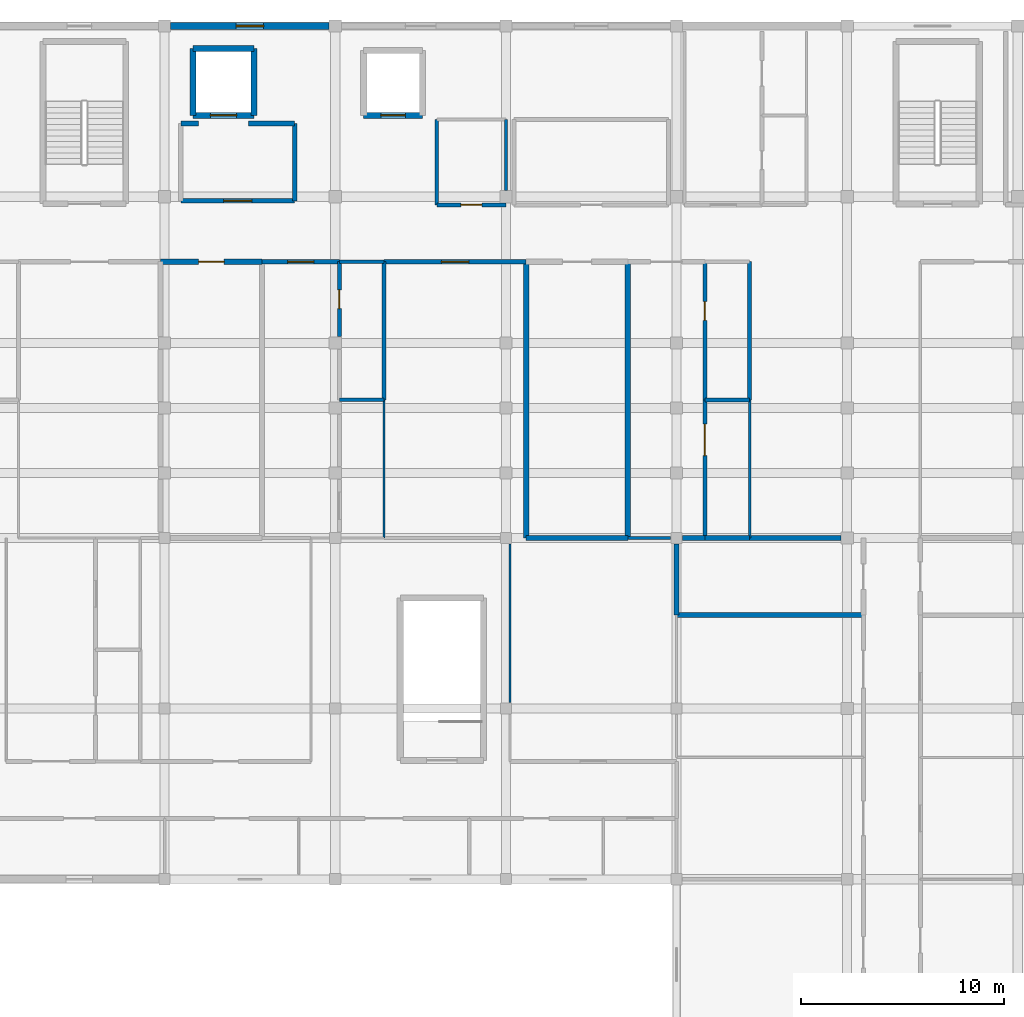
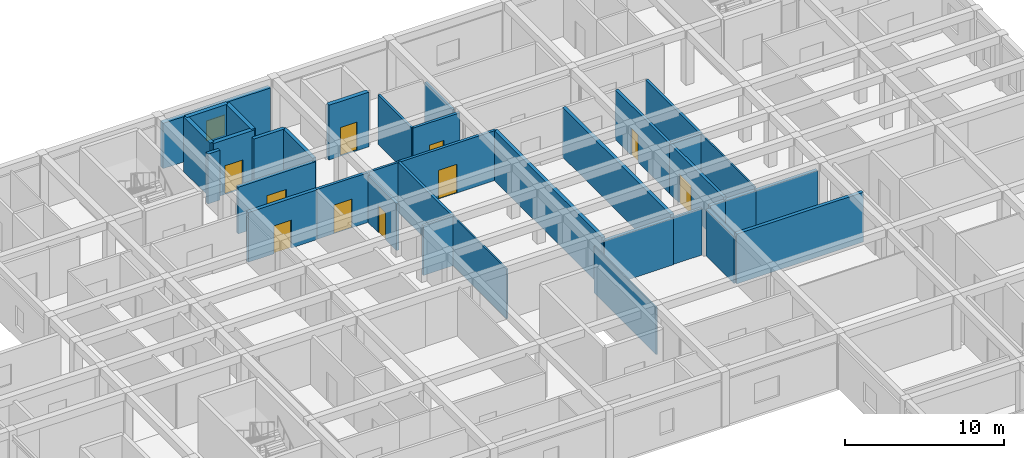
# One storey, part 28 of 42: 36 walls, 10 doors, 1 window, 11 openings.
"""IFC4 building model written with IfcOpenShell, lengths in metres."""

from ifc_helpers import new_model, si_unit, direction, frame, frame_2d, origin, place, context, subcontext, project, spatial, rectangle, extrude, material, layer, layer_set, type_object, element, fill, save


model = new_model("IFC4")

# Units and contexts
model_context = context("Model", 3, precision=1e-05, world=origin(), true_north=direction((0.0, 1.0)))
body_context = subcontext(model_context, "Body", "Model", "MODEL_VIEW")
ifc_project = project(units=[si_unit("LENGTHUNIT", "METRE"), si_unit("AREAUNIT", "SQUARE_METRE"), si_unit("VOLUMEUNIT", "CUBIC_METRE"), si_unit("PLANEANGLEUNIT", "RADIAN"), si_unit("MASSUNIT", "GRAM", prefix="KILO")], contexts=[model_context])

# Site, building, storey
site_placement = place(None, origin())
site = spatial("IfcSite", under=ifc_project, at=site_placement, CompositionType="ELEMENT")
building_placement = place(site_placement, origin())
building = spatial("IfcBuilding", under=site, at=building_placement, Name="Varncliffe General Hospital", CompositionType="ELEMENT")
storey_placement = place(building_placement, frame((0.0, 0.0, 20.39990234375)))
storey = spatial("IfcBuildingStorey", under=building, at=storey_placement, Name="L04", CompositionType="ELEMENT", Elevation=20.39990234375)

# Wall, opening, window
ifc_material_1 = material(Name="Precast concrete C40/50 with insulated cream lime-cement stucco", Category="concrete")
ifc_layer_1 = layer(ifc_material_1, 0.330078125)
ifc_layer_set_1 = layer_set([ifc_layer_1], Name="Precast concrete C40/50 with insulated cream lime-cement stucco")
wall_type_1 = type_object("IfcWallType", Name="Exterior Insulated Stucco Wall EW33 (330mm)", PredefinedType="SOLIDWALL", material=ifc_layer_set_1)
wall_1_placement = place(storey_placement, frame((126.298095703125, 124.800048828125, 0.0), z_axis=(0.0, 0.0, 1.0), x_axis=(1.0, 0.0, 0.0)))
wall_1 = element("IfcWall", 1, at=wall_1_placement, inside=storey, type_object=wall_type_1, Name="L04 Exterior Stucco Wall EW33-368", PredefinedType="SOLIDWALL", context=body_context, shape_type="SweptSolid", body=[
    extrude(rectangle(XDim=7.803955078125, YDim=0.330078125, at=frame_2d((3.90185546875, 0.0))), origin(), (0.0, 0.0, 1.0), 3.47998046875),
])
opening_1_placement = place(wall_1_placement, frame((3.22705078125, 0.0, 0.89990234375)))
opening_1 = element("IfcOpeningElement", 2, at=opening_1_placement, cuts=wall_1, Name="Opening WN24", PredefinedType="OPENING", context=body_context, shape_type="SweptSolid", body=[
    extrude(rectangle(XDim=1.35009765625, YDim=1.550048828125, at=frame_2d((0.675048828125, 0.77490234375))), frame((0.0, 0.175048828125, 0.0), z_axis=(0.0, -1.0, 0.0), x_axis=(1.0, 0.0, 0.0)), (0.0, 0.0, 1.0), 0.35009765625),
])
ifc_material_2 = material(Name="Triple low-E argon insulated vision glazing", Category="glass")
window_type = type_object("IfcWindowType", Name="Triple-Glazed Hospital Window WN24 (1350x1550)", PartitioningType="SINGLE_PANEL", PredefinedType="WINDOW", material=ifc_material_2)
window_placement = place(opening_1_placement, origin())
window = element("IfcWindow", 3, at=window_placement, inside=storey, type_object=window_type, Name="L04 Hospital Window WN24-275", OverallHeight=1.550048828125, OverallWidth=1.35009765625, PartitioningType="SINGLE_PANEL", PredefinedType="WINDOW", context=body_context, shape_type="SweptSolid", body=[
    extrude(rectangle(XDim=1.35009765625, YDim=1.550048828125, at=frame_2d((0.675048828125, 0.77490234375))), frame((0.0, 0.030029296875, 0.0), z_axis=(0.0, -1.0, 0.0), x_axis=(1.0, 0.0, 0.0)), (0.0, 0.0, 1.0), 0.06005859375),
])
fill(opening_1, window)

# Walls
ifc_material_3 = material(Name="Acoustic clinical gypsum stud partition assembly", Category="gypsum")
ifc_layer_2 = layer(ifc_material_3, 0.169921875)
ifc_layer_set_2 = layer_set([ifc_layer_2], Name="Acoustic clinical gypsum stud partition assembly")
wall_type_2 = type_object("IfcWallType", Name="Interior Partitioning IW20 (170mm)", PredefinedType="PARTITIONING", material=ifc_layer_set_2)
wall_2_placement = place(storey_placement, frame((148.800048828125, 99.60009765625, 0.0), z_axis=(0.0, 0.0, 1.0), x_axis=(1.0, 0.0, 0.0)))
element("IfcWall", 4, at=wall_2_placement, inside=storey, type_object=wall_type_2, Name="L04 Interior Partition Wall IW20-1765", PredefinedType="PARTITIONING", context=body_context, shape_type="SweptSolid", body=[
    extrude(rectangle(XDim=2.10986328125, YDim=0.169921875, at=frame_2d((1.054931640625, 0.0))), origin(), (0.0, 0.0, 1.0), 3.585205078125),
])
ifc_layer_3 = layer(ifc_material_3, 0.110107421875)
ifc_layer_set_3 = layer_set([ifc_layer_3], Name="Acoustic clinical gypsum stud partition assembly")
wall_type_3 = type_object("IfcWallType", Name="Interior Partitioning IW65 (110mm)", PredefinedType="PARTITIONING", material=ifc_layer_set_3)
wall_3_placement = place(storey_placement, frame((136.800048828125, 99.60009765625, 0.0), z_axis=(0.0, 0.0, 1.0), x_axis=(0.0, 1.0, 0.0)))
element("IfcWall", 5, at=wall_3_placement, inside=storey, type_object=wall_type_3, Name="L04 Interior Partition Wall IW65-1947", PredefinedType="PARTITIONING", context=body_context, shape_type="SweptSolid", body=[
    extrude(rectangle(XDim=6.7998046875, YDim=0.110107421875, at=frame_2d((3.39990234375, 0.0))), origin(), (0.0, 0.0, 1.0), 3.820068359375),
])
wall_4_placement = place(storey_placement, frame((143.0, 91.489990234375, 0.0), z_axis=(0.0, 0.0, 1.0), x_axis=(0.0, 1.0, 0.0)))
element("IfcWall", 6, at=wall_4_placement, inside=storey, type_object=wall_type_3, Name="L04 Interior Partition Wall IW65-1952", PredefinedType="PARTITIONING", context=body_context, shape_type="SweptSolid", body=[
    extrude(rectangle(XDim=7.820068359375, YDim=0.110107421875, at=frame_2d((3.91015625, 0.0))), origin(), (0.0, 0.0, 1.0), 3.585205078125),
])
wall_5_placement = place(storey_placement, frame((154.800048828125, 99.60009765625, 0.0), z_axis=(0.0, 0.0, 1.0), x_axis=(0.0, 1.0, 0.0)))
element("IfcWall", 7, at=wall_5_placement, inside=storey, type_object=wall_type_3, Name="L04 Interior Partition Wall IW65-1967", PredefinedType="PARTITIONING", context=body_context, shape_type="SweptSolid", body=[
    extrude(rectangle(XDim=6.7998046875, YDim=0.110107421875, at=frame_2d((3.39990234375, 0.0))), origin(), (0.0, 0.0, 1.0), 3.820068359375),
])
ifc_material_4 = material(Name="Fire-rated gypsum and mineral-wool partition assembly", Category="gypsum")
ifc_layer_4 = layer(ifc_material_4, 0.25)
ifc_layer_set_4 = layer_set([ifc_layer_4], Name="Fire-rated gypsum and mineral-wool partition assembly")
wall_type_4 = type_object("IfcWallType", Name="Interior Partitioning PW38 (250mm)", PredefinedType="PARTITIONING", material=ifc_layer_set_4)
wall_6_placement = place(storey_placement, frame((151.199951171875, 95.800048828125, 0.0), z_axis=(0.0, 0.0, 1.0), x_axis=(1.0, 0.0, 0.0)))
element("IfcWall", 8, at=wall_6_placement, inside=storey, type_object=wall_type_4, Name="L04 Interior Partition Wall PW38-1733", PredefinedType="PARTITIONING", context=body_context, shape_type="SweptSolid", body=[
    extrude(rectangle(XDim=9.199951171875, YDim=0.25, at=frame_2d((4.60009765625, 0.0))), origin(), (0.0, 0.0, 1.0), 3.820068359375),
])
wall_7_placement = place(storey_placement, frame((152.60009765625, 99.60009765625, 0.0), z_axis=(0.0, 0.0, 1.0), x_axis=(1.0, 0.0, 0.0)))
element("IfcWall", 9, at=wall_7_placement, inside=storey, type_object=wall_type_4, Name="L04 Interior Partition Wall PW38-1767", PredefinedType="PARTITIONING", context=body_context, shape_type="SweptSolid", body=[
    extrude(rectangle(XDim=2.199951171875, YDim=0.25, at=frame_2d((1.10009765625, 0.0))), origin(), (0.0, 0.0, 1.0), 3.585205078125),
])

# Wall, opening, door
wall_8_placement = place(storey_placement, frame((125.800048828125, 113.199951171875, 0.0), z_axis=(0.0, 0.0, 1.0), x_axis=(1.0, 0.0, 0.0)))
wall_8 = element("IfcWall", 10, at=wall_8_placement, inside=storey, type_object=wall_type_4, Name="L04 Interior Partition Wall PW38-1801", PredefinedType="PARTITIONING", context=body_context, shape_type="SweptSolid", body=[
    extrude(rectangle(XDim=5.0, YDim=0.25, at=frame_2d((2.5, 0.0))), origin(), (0.0, 0.0, 1.0), 3.820068359375),
])
opening_2_placement = place(wall_8_placement, frame((1.875, 0.0, 0.0)))
opening_2 = element("IfcOpeningElement", 11, at=opening_2_placement, cuts=wall_8, Name="Opening DC44", PredefinedType="OPENING", context=body_context, shape_type="SweptSolid", body=[
    extrude(rectangle(XDim=1.25, YDim=2.14990234375, at=frame_2d((0.625, 1.074951171875))), frame((0.0, 0.135009765625, 0.0), z_axis=(0.0, -1.0, 0.0), x_axis=(1.0, 0.0, 0.0)), (0.0, 0.0, 1.0), 0.27001953125),
])
ifc_material_5 = material(Name="Fire-rated hospital steel-frame vision-panel door", Category="steel")
door_type_1 = type_object("IfcDoorType", Name="Interior Hospital Door DC44 (1250x2150)", OperationType="NOTDEFINED", PredefinedType="DOOR", material=ifc_material_5)
door_1_placement = place(opening_2_placement, frame((1.25, 0.0, 0.0), z_axis=(0.0, 0.0, 1.0), x_axis=(-1.0, 0.0, 0.0)))
door_1 = element("IfcDoor", 12, at=door_1_placement, inside=storey, type_object=door_type_1, Name="L04 Ward Soiled Utility Store 99 Door", OperationType="SINGLE_SWING_LEFT", OverallHeight=2.14990234375, OverallWidth=1.25, PredefinedType="DOOR", context=body_context, shape_type="SweptSolid", body=[
    extrude(rectangle(XDim=1.25, YDim=2.14990234375, at=frame_2d((0.625, 1.074951171875))), frame((0.0, 0.02490234375, 0.0), z_axis=(0.0, -1.0, 0.0), x_axis=(1.0, 0.0, 0.0)), (0.0, 0.0, 1.0), 0.050048828125),
])
fill(opening_2, door_1)

# Walls
wall_9_placement = place(storey_placement, frame((130.135986328125, 120.0, 0.0), z_axis=(0.0, 0.0, 1.0), x_axis=(1.0, 0.0, 0.0)))
element("IfcWall", 13, at=wall_9_placement, inside=storey, type_object=wall_type_4, Name="L04 Interior Partition Wall PW38-1831", PredefinedType="PARTITIONING", context=body_context, shape_type="SweptSolid", body=[
    extrude(rectangle(XDim=2.263916015625, YDim=0.25, at=frame_2d((1.1318359375, 0.0))), origin(), (0.0, 0.0, 1.0), 3.820068359375),
])
wall_10_placement = place(storey_placement, frame((126.800048828125, 120.0, 0.0), z_axis=(0.0, 0.0, 1.0), x_axis=(1.0, 0.0, 0.0)))
element("IfcWall", 14, at=wall_10_placement, inside=storey, type_object=wall_type_4, Name="L04 Interior Partition Wall PW38-1832", PredefinedType="PARTITIONING", context=body_context, shape_type="SweptSolid", body=[
    extrude(rectangle(XDim=0.864013671875, YDim=0.25, at=frame_2d((0.43212890625, 0.0))), origin(), (0.0, 0.0, 1.0), 3.820068359375),
])
for number, where, z_axis, x_axis, name in (
    (15, (143.800048828125, 99.60009765625, 0.0), (0.0, 0.0, 1.0), (0.0, 1.0, 0.0), "L04 Interior Partition Wall PW38-1955"),
    (16, (148.800048828125, 99.60009765625, 0.0), (0.0, 0.0, 1.0), (0.0, 1.0, 0.0), "L04 Interior Partition Wall PW38-1957"),
):
    element("IfcWall", number, at=place(storey_placement, frame(where, z_axis=z_axis, x_axis=x_axis)), inside=storey, type_object=wall_type_4, Name=name, PredefinedType="PARTITIONING", context=body_context, shape_type="SweptSolid", body=[
        extrude(rectangle(XDim=13.599853515625, YDim=0.25, at=frame_2d((6.7998046875, 0.0))), origin(), (0.0, 0.0, 1.0), 3.820068359375),
    ])
wall_11_placement = place(storey_placement, frame((151.199951171875, 95.800048828125, 0.0), z_axis=(0.0, 0.0, 1.0), x_axis=(0.0, 1.0, 0.0)))
element("IfcWall", 17, at=wall_11_placement, inside=storey, type_object=wall_type_4, Name="L04 Interior Partition Wall PW38-1963", PredefinedType="PARTITIONING", context=body_context, shape_type="SweptSolid", body=[
    extrude(rectangle(XDim=3.510009765625, YDim=0.25, at=frame_2d((1.7548828125, 0.0))), origin(), (0.0, 0.0, 1.0), 3.585205078125),
])
ifc_layer_5 = layer(ifc_material_4, 0.22998046875)
ifc_layer_set_5 = layer_set([ifc_layer_5], Name="Fire-rated gypsum and mineral-wool partition assembly")
wall_type_5 = type_object("IfcWallType", Name="Interior Partitioning PW48 (230mm)", PredefinedType="PARTITIONING", material=ifc_layer_set_5)
wall_12_placement = place(storey_placement, frame((143.800048828125, 99.60009765625, 0.0), z_axis=(0.0, 0.0, 1.0), x_axis=(1.0, 0.0, 0.0)))
element("IfcWall", 18, at=wall_12_placement, inside=storey, type_object=wall_type_5, Name="L04 Interior Partition Wall PW48-1764", PredefinedType="PARTITIONING", context=body_context, shape_type="SweptSolid", body=[
    extrude(rectangle(XDim=5.0, YDim=0.22998046875, at=frame_2d((2.5, 0.0))), origin(), (0.0, 0.0, 1.0), 3.585205078125),
])
wall_13_placement = place(storey_placement, frame((151.489990234375, 99.60009765625, 0.0), z_axis=(0.0, 0.0, 1.0), x_axis=(1.0, 0.0, 0.0)))
element("IfcWall", 19, at=wall_13_placement, inside=storey, type_object=wall_type_5, Name="L04 Interior Partition Wall PW48-1766", PredefinedType="PARTITIONING", context=body_context, shape_type="SweptSolid", body=[
    extrude(rectangle(XDim=1.110107421875, YDim=0.22998046875, at=frame_2d((0.55517578125, 0.0))), origin(), (0.0, 0.0, 1.0), 3.585205078125),
])
wall_14_placement = place(storey_placement, frame((154.800048828125, 99.60009765625, 0.0), z_axis=(0.0, 0.0, 1.0), x_axis=(1.0, 0.0, 0.0)))
element("IfcWall", 20, at=wall_14_placement, inside=storey, type_object=wall_type_5, Name="L04 Interior Partition Wall PW48-1768", PredefinedType="PARTITIONING", context=body_context, shape_type="SweptSolid", body=[
    extrude(rectangle(XDim=4.48486328125, YDim=0.22998046875, at=frame_2d((2.242431640625, 0.0))), origin(), (0.0, 0.0, 1.0), 3.585205078125),
])

# Wall, opening, door
wall_15_placement = place(storey_placement, frame((126.800048828125, 116.199951171875, 0.0), z_axis=(0.0, 0.0, 1.0), x_axis=(1.0, 0.0, 0.0)))
wall_15 = element("IfcWall", 21, at=wall_15_placement, inside=storey, type_object=wall_type_5, Name="L04 Interior Partition Wall PW48-1826", PredefinedType="PARTITIONING", context=body_context, shape_type="SweptSolid", body=[
    extrude(rectangle(XDim=5.599853515625, YDim=0.22998046875, at=frame_2d((2.7998046875, 0.0))), origin(), (0.0, 0.0, 1.0), 3.585205078125),
])
opening_3_placement = place(wall_15_placement, frame((2.10009765625, 0.0, 0.0)))
opening_3 = element("IfcOpeningElement", 22, at=opening_3_placement, cuts=wall_15, Name="Opening DF81", PredefinedType="OPENING", context=body_context, shape_type="SweptSolid", body=[
    extrude(rectangle(XDim=1.39990234375, YDim=2.199951171875, at=frame_2d((0.699951171875, 1.10009765625))), frame((0.0, 0.125, 0.0), z_axis=(0.0, -1.0, 0.0), x_axis=(1.0, 0.0, 0.0)), (0.0, 0.0, 1.0), 0.25),
])
door_type_2 = type_object("IfcDoorType", Name="Interior Hospital Door DF81 (1400x2200)", OperationType="NOTDEFINED", PredefinedType="DOOR", material=ifc_material_5)
door_2_placement = place(opening_3_placement, origin())
door_2 = element("IfcDoor", 23, at=door_2_placement, inside=storey, type_object=door_type_2, Name="L04 Firefighting Lift Lobby LF03 Door", OperationType="SINGLE_SWING_LEFT", OverallHeight=2.199951171875, OverallWidth=1.39990234375, PredefinedType="DOOR", context=body_context, shape_type="SweptSolid", body=[
    extrude(rectangle(XDim=1.39990234375, YDim=2.199951171875, at=frame_2d((0.699951171875, 1.10009765625))), frame((0.0, 0.02490234375, 0.0), z_axis=(0.0, -1.0, 0.0), x_axis=(1.0, 0.0, 0.0)), (0.0, 0.0, 1.0), 0.050048828125),
])
fill(opening_3, door_2)

# Wall
wall_16_placement = place(storey_placement, frame((132.39990234375, 116.199951171875, 0.0), z_axis=(0.0, 0.0, 1.0), x_axis=(0.0, 1.0, 0.0)))
element("IfcWall", 24, at=wall_16_placement, inside=storey, type_object=wall_type_5, Name="L04 Interior Partition Wall PW48-1940", PredefinedType="PARTITIONING", context=body_context, shape_type="SweptSolid", body=[
    extrude(rectangle(XDim=3.800048828125, YDim=0.22998046875, at=frame_2d((1.89990234375, 0.0))), origin(), (0.0, 0.0, 1.0), 3.820068359375),
])

# Wall, opening, door
ifc_layer_6 = layer(ifc_material_4, 0.199951171875)
ifc_layer_set_6 = layer_set([ifc_layer_6], Name="Fire-rated gypsum and mineral-wool partition assembly")
wall_type_6 = type_object("IfcWallType", Name="Interior Partitioning PW63 (200mm)", PredefinedType="PARTITIONING", material=ifc_layer_set_6)
wall_17_placement = place(storey_placement, frame((130.800048828125, 113.199951171875, 0.0), z_axis=(0.0, 0.0, 1.0), x_axis=(1.0, 0.0, 0.0)))
wall_17 = element("IfcWall", 25, at=wall_17_placement, inside=storey, type_object=wall_type_6, Name="L04 Interior Partition Wall PW63-1802", PredefinedType="PARTITIONING", context=body_context, shape_type="SweptSolid", body=[
    extrude(rectangle(XDim=3.800048828125, YDim=0.199951171875, at=frame_2d((1.89990234375, 0.0))), origin(), (0.0, 0.0, 1.0), 3.820068359375),
])
opening_4_placement = place(wall_17_placement, frame((1.25, 0.0, 0.0)))
opening_4 = element("IfcOpeningElement", 26, at=opening_4_placement, cuts=wall_17, Name="Opening DC88", PredefinedType="OPENING", context=body_context, shape_type="SweptSolid", body=[
    extrude(rectangle(XDim=1.300048828125, YDim=2.199951171875, at=frame_2d((0.64990234375, 1.10009765625))), frame((0.0, 0.10986328125, 0.0), z_axis=(0.0, -1.0, 0.0), x_axis=(1.0, 0.0, 0.0)), (0.0, 0.0, 1.0), 0.219970703125),
])
door_type_3 = type_object("IfcDoorType", Name="Interior Hospital Door DC88 (1300x2200)", OperationType="NOTDEFINED", PredefinedType="DOOR", material=ifc_material_5)
door_3_placement = place(opening_4_placement, frame((1.300048828125, 0.0, 0.0), z_axis=(0.0, 0.0, 1.0), x_axis=(-1.0, 0.0, 0.0)))
door_3 = element("IfcDoor", 27, at=door_3_placement, inside=storey, type_object=door_type_3, Name="L04 Cardiology Telemetry Inpatient Room 100 Door", OperationType="SINGLE_SWING_RIGHT", OverallHeight=2.199951171875, OverallWidth=1.300048828125, PredefinedType="DOOR", context=body_context, shape_type="SweptSolid", body=[
    extrude(rectangle(XDim=1.300048828125, YDim=2.199951171875, at=frame_2d((0.64990234375, 1.10009765625))), frame((0.0, 0.02490234375, 0.0), z_axis=(0.0, -1.0, 0.0), x_axis=(1.0, 0.0, 0.0)), (0.0, 0.0, 1.0), 0.050048828125),
])
fill(opening_4, door_3)

wall_18_placement = place(storey_placement, frame((136.800048828125, 113.199951171875, 0.0), z_axis=(0.0, 0.0, 1.0), x_axis=(1.0, 0.0, 0.0)))
wall_18 = element("IfcWall", 28, at=wall_18_placement, inside=storey, type_object=wall_type_6, Name="L04 Interior Partition Wall PW63-1804", PredefinedType="PARTITIONING", context=body_context, shape_type="SweptSolid", body=[
    extrude(rectangle(XDim=7.0, YDim=0.199951171875, at=frame_2d((3.5, 0.0))), origin(), (0.0, 0.0, 1.0), 3.820068359375),
])
opening_5_placement = place(wall_18_placement, frame((2.824951171875, 0.0, 0.0)))
opening_5 = element("IfcOpeningElement", 29, at=opening_5_placement, cuts=wall_18, Name="Opening DC85", PredefinedType="OPENING", context=body_context, shape_type="SweptSolid", body=[
    extrude(rectangle(XDim=1.35009765625, YDim=2.199951171875, at=frame_2d((0.675048828125, 1.10009765625))), frame((0.0, 0.10986328125, 0.0), z_axis=(0.0, -1.0, 0.0), x_axis=(1.0, 0.0, 0.0)), (0.0, 0.0, 1.0), 0.219970703125),
])
door_type_4 = type_object("IfcDoorType", Name="Interior Hospital Door DC85 (1350x2200)", OperationType="NOTDEFINED", PredefinedType="DOOR", material=ifc_material_5)
door_4_placement = place(opening_5_placement, frame((1.35009765625, 0.0, 0.0), z_axis=(0.0, 0.0, 1.0), x_axis=(-1.0, 0.0, 0.0)))
door_4 = element("IfcDoor", 30, at=door_4_placement, inside=storey, type_object=door_type_4, Name="L04 Telemetry Central Monitoring Station 103 Door", OperationType="SINGLE_SWING_LEFT", OverallHeight=2.199951171875, OverallWidth=1.35009765625, PredefinedType="DOOR", context=body_context, shape_type="SweptSolid", body=[
    extrude(rectangle(XDim=1.35009765625, YDim=2.199951171875, at=frame_2d((0.675048828125, 1.10009765625))), frame((0.0, 0.02490234375, 0.0), z_axis=(0.0, -1.0, 0.0), x_axis=(1.0, 0.0, 0.0)), (0.0, 0.0, 1.0), 0.050048828125),
])
fill(opening_5, door_4)

wall_19_placement = place(storey_placement, frame((139.39990234375, 116.0, 0.0), z_axis=(0.0, 0.0, 1.0), x_axis=(1.0, 0.0, 0.0)))
wall_19 = element("IfcWall", 31, at=wall_19_placement, inside=storey, type_object=wall_type_6, Name="L04 Interior Partition Wall PW63-1818", PredefinedType="PARTITIONING", context=body_context, shape_type="SweptSolid", body=[
    extrude(rectangle(XDim=3.400146484375, YDim=0.199951171875, at=frame_2d((1.7001953125, 0.0))), origin(), (0.0, 0.0, 1.0), 3.820068359375),
])
opening_6_placement = place(wall_19_placement, frame((1.179931640625, 0.0, 0.0)))
opening_6 = element("IfcOpeningElement", 32, at=opening_6_placement, cuts=wall_19, Name="Opening DI77", PredefinedType="OPENING", context=body_context, shape_type="SweptSolid", body=[
    extrude(rectangle(XDim=1.0400390625, YDim=2.10009765625, at=frame_2d((0.52001953125, 1.050048828125))), frame((0.0, 0.10986328125, 0.0), z_axis=(0.0, -1.0, 0.0), x_axis=(1.0, 0.0, 0.0)), (0.0, 0.0, 1.0), 0.219970703125),
])
ifc_material_6 = material(Name="Solid-core antimicrobial hospital oak veneer door", Category="wood")
door_type_5 = type_object("IfcDoorType", Name="Interior Hospital Door DI77 (1040x2100)", OperationType="NOTDEFINED", PredefinedType="DOOR", material=ifc_material_6)
door_5_placement = place(opening_6_placement, origin())
door_5 = element("IfcDoor", 33, at=door_5_placement, inside=storey, type_object=door_type_5, Name="L04 Accessible WC L04-NE Door", OperationType="SINGLE_SWING_RIGHT", OverallHeight=2.10009765625, OverallWidth=1.0400390625, PredefinedType="DOOR", context=body_context, shape_type="SweptSolid", body=[
    extrude(rectangle(XDim=1.0400390625, YDim=2.10009765625, at=frame_2d((0.52001953125, 1.050048828125))), frame((0.0, 0.02490234375, 0.0), z_axis=(0.0, -1.0, 0.0), x_axis=(1.0, 0.0, 0.0)), (0.0, 0.0, 1.0), 0.050048828125),
])
fill(opening_6, door_5)

wall_20_placement = place(storey_placement, frame((134.60009765625, 109.514892578125, 0.0), z_axis=(0.0, 0.0, 1.0), x_axis=(0.0, 1.0, 0.0)))
wall_20 = element("IfcWall", 34, at=wall_20_placement, inside=storey, type_object=wall_type_6, Name="L04 Interior Partition Wall PW63-1945", PredefinedType="PARTITIONING", context=body_context, shape_type="SweptSolid", body=[
    extrude(rectangle(XDim=3.68505859375, YDim=0.199951171875, at=frame_2d((1.842529296875, 0.0))), origin(), (0.0, 0.0, 1.0), 3.585205078125),
])
opening_7_placement = place(wall_20_placement, frame((1.382568359375, 0.0, 0.0)))
opening_7 = element("IfcOpeningElement", 35, at=opening_7_placement, cuts=wall_20, Name="Opening DI70", PredefinedType="OPENING", context=body_context, shape_type="SweptSolid", body=[
    extrude(rectangle(XDim=0.919921875, YDim=2.10009765625, at=frame_2d((0.4599609375, 1.050048828125))), frame((0.0, 0.10986328125, 0.0), z_axis=(0.0, -1.0, 0.0), x_axis=(1.0, 0.0, 0.0)), (0.0, 0.0, 1.0), 0.219970703125),
])
door_type_6 = type_object("IfcDoorType", Name="Interior Hospital Door DI70 (920x2100)", OperationType="NOTDEFINED", PredefinedType="DOOR", material=ifc_material_6)
door_6_placement = place(opening_7_placement, frame((0.919921875, 0.0, 0.0), z_axis=(0.0, 0.0, 1.0), x_axis=(-1.0, 0.0, 0.0)))
door_6 = element("IfcDoor", 36, at=door_6_placement, inside=storey, type_object=door_type_6, Name="L04 En-Suite Bathroom 101 Door", OperationType="SINGLE_SWING_LEFT", OverallHeight=2.10009765625, OverallWidth=0.919921875, PredefinedType="DOOR", context=body_context, shape_type="SweptSolid", body=[
    extrude(rectangle(XDim=0.919921875, YDim=2.10009765625, at=frame_2d((0.4599609375, 1.050048828125))), frame((0.0, 0.02490234375, 0.0), z_axis=(0.0, -1.0, 0.0), x_axis=(1.0, 0.0, 0.0)), (0.0, 0.0, 1.0), 0.050048828125),
])
fill(opening_7, door_6)

wall_21_placement = place(storey_placement, frame((152.60009765625, 99.60009765625, 0.0), z_axis=(0.0, 0.0, 1.0), x_axis=(0.0, 1.0, 0.0)))
wall_21 = element("IfcWall", 37, at=wall_21_placement, inside=storey, type_object=wall_type_6, Name="L04 Interior Partition Wall PW63-1965", PredefinedType="PARTITIONING", context=body_context, shape_type="SweptSolid", body=[
    extrude(rectangle(XDim=6.7998046875, YDim=0.199951171875, at=frame_2d((3.39990234375, 0.0))), origin(), (0.0, 0.0, 1.0), 3.820068359375),
])
opening_8_placement = place(wall_21_placement, frame((4.055908203125, 0.0, 0.0)))
opening_8 = element("IfcOpeningElement", 38, at=opening_8_placement, cuts=wall_21, Name="Opening DC67", PredefinedType="OPENING", context=body_context, shape_type="SweptSolid", body=[
    extrude(rectangle(XDim=1.550048828125, YDim=2.25, at=frame_2d((0.77490234375, 1.125))), frame((0.0, 0.10986328125, 0.0), z_axis=(0.0, -1.0, 0.0), x_axis=(1.0, 0.0, 0.0)), (0.0, 0.0, 1.0), 0.219970703125),
])
door_type_7 = type_object("IfcDoorType", Name="Interior Hospital Door DC67 (1550x2250)", OperationType="NOTDEFINED", PredefinedType="DOOR", material=ifc_material_5)
door_7_placement = place(opening_8_placement, frame((1.550048828125, 0.0, 0.0), z_axis=(0.0, 0.0, 1.0), x_axis=(-1.0, 0.0, 0.0)))
door_7 = element("IfcDoor", 39, at=door_7_placement, inside=storey, type_object=door_type_7, Name="L04 Patient Medication and Hygiene Bay 107 Door", OperationType="SINGLE_SWING_RIGHT", OverallHeight=2.25, OverallWidth=1.550048828125, PredefinedType="DOOR", context=body_context, shape_type="SweptSolid", body=[
    extrude(rectangle(XDim=1.550048828125, YDim=2.25, at=frame_2d((0.77490234375, 1.125))), frame((0.0, 0.02490234375, 0.0), z_axis=(0.0, -1.0, 0.0), x_axis=(1.0, 0.0, 0.0)), (0.0, 0.0, 1.0), 0.050048828125),
])
fill(opening_8, door_7)

wall_22_placement = place(storey_placement, frame((152.60009765625, 106.39990234375, 0.0), z_axis=(0.0, 0.0, 1.0), x_axis=(0.0, 1.0, 0.0)))
wall_22 = element("IfcWall", 40, at=wall_22_placement, inside=storey, type_object=wall_type_6, Name="L04 Interior Partition Wall PW63-1966", PredefinedType="PARTITIONING", context=body_context, shape_type="SweptSolid", body=[
    extrude(rectangle(XDim=6.800048828125, YDim=0.199951171875, at=frame_2d((3.39990234375, 0.0))), origin(), (0.0, 0.0, 1.0), 3.820068359375),
])
opening_9_placement = place(wall_22_placement, frame((3.912109375, 0.0, 0.0)))
opening_9 = element("IfcOpeningElement", 41, at=opening_9_placement, cuts=wall_22, Name="Opening DI70", PredefinedType="OPENING", context=body_context, shape_type="SweptSolid", body=[
    extrude(rectangle(XDim=0.919921875, YDim=2.10009765625, at=frame_2d((0.4599609375, 1.050048828125))), frame((0.0, 0.10986328125, 0.0), z_axis=(0.0, -1.0, 0.0), x_axis=(1.0, 0.0, 0.0)), (0.0, 0.0, 1.0), 0.219970703125),
])
door_8_placement = place(opening_9_placement, frame((0.919921875, 0.0, 0.0), z_axis=(0.0, 0.0, 1.0), x_axis=(-1.0, 0.0, 0.0)))
door_8 = element("IfcDoor", 42, at=door_8_placement, inside=storey, type_object=door_type_6, Name="L04 En-Suite Bathroom 106 Door", OperationType="SINGLE_SWING_LEFT", OverallHeight=2.10009765625, OverallWidth=0.919921875, PredefinedType="DOOR", context=body_context, shape_type="SweptSolid", body=[
    extrude(rectangle(XDim=0.919921875, YDim=2.10009765625, at=frame_2d((0.4599609375, 1.050048828125))), frame((0.0, 0.02490234375, 0.0), z_axis=(0.0, -1.0, 0.0), x_axis=(1.0, 0.0, 0.0)), (0.0, 0.0, 1.0), 0.050048828125),
])
fill(opening_9, door_8)

# Walls
ifc_material_7 = material(Name="Moisture-resistant plumbing chase wall assembly", Category="gypsum")
ifc_layer_7 = layer(ifc_material_7, 0.18994140625)
ifc_layer_set_7 = layer_set([ifc_layer_7], Name="Moisture-resistant plumbing chase wall assembly")
wall_type_7 = type_object("IfcWallType", Name="Interior Plumbingwall MW17 (190mm)", PredefinedType="PLUMBINGWALL", material=ifc_layer_set_7)
wall_23_placement = place(storey_placement, frame((152.60009765625, 106.39990234375, 0.0), z_axis=(0.0, 0.0, 1.0), x_axis=(1.0, 0.0, 0.0)))
element("IfcWall", 43, at=wall_23_placement, inside=storey, type_object=wall_type_7, Name="L04 Interior Plumbing Wall MW17-1784", PredefinedType="PLUMBINGWALL", context=body_context, shape_type="SweptSolid", body=[
    extrude(rectangle(XDim=2.199951171875, YDim=0.18994140625, at=frame_2d((1.10009765625, 0.0))), origin(), (0.0, 0.0, 1.0), 3.820068359375),
])
for number, where, z_axis, x_axis, name in (
    (44, (136.800048828125, 106.39990234375, 0.0), (0.0, 0.0, 1.0), (0.0, 1.0, 0.0), "L04 Interior Plumbing Wall MW17-1948"),
    (45, (154.800048828125, 106.39990234375, 0.0), (0.0, 0.0, 1.0), (0.0, 1.0, 0.0), "L04 Interior Plumbing Wall MW17-1968"),
):
    element("IfcWall", number, at=place(storey_placement, frame(where, z_axis=z_axis, x_axis=x_axis)), inside=storey, type_object=wall_type_7, Name=name, PredefinedType="PLUMBINGWALL", context=body_context, shape_type="SweptSolid", body=[
        extrude(rectangle(XDim=6.800048828125, YDim=0.18994140625, at=frame_2d((3.39990234375, 0.0))), origin(), (0.0, 0.0, 1.0), 3.820068359375),
    ])
ifc_layer_8 = layer(ifc_material_7, 0.159912109375)
ifc_layer_set_8 = layer_set([ifc_layer_8], Name="Moisture-resistant plumbing chase wall assembly")
wall_type_8 = type_object("IfcWallType", Name="Interior Plumbingwall MW31 (160mm)", PredefinedType="PLUMBINGWALL", material=ifc_layer_set_8)
for number, where, z_axis, x_axis, name in (
    (46, (134.60009765625, 106.39990234375, 0.0), (0.0, 0.0, 1.0), (1.0, 0.0, 0.0), "L04 Interior Plumbing Wall MW31-1783"),
    (47, (134.60009765625, 113.199951171875, 0.0), (0.0, 0.0, 1.0), (1.0, 0.0, 0.0), "L04 Interior Plumbing Wall MW31-1803"),
):
    element("IfcWall", number, at=place(storey_placement, frame(where, z_axis=z_axis, x_axis=x_axis)), inside=storey, type_object=wall_type_8, Name=name, PredefinedType="PLUMBINGWALL", context=body_context, shape_type="SweptSolid", body=[
        extrude(rectangle(XDim=2.199951171875, YDim=0.159912109375, at=frame_2d((1.10009765625, 0.0))), origin(), (0.0, 0.0, 1.0), 3.820068359375),
    ])
wall_24_placement = place(storey_placement, frame((139.39990234375, 116.0, 0.0), z_axis=(0.0, 0.0, 1.0), x_axis=(0.0, 1.0, 0.0)))
element("IfcWall", 48, at=wall_24_placement, inside=storey, type_object=wall_type_8, Name="L04 Interior Plumbing Wall MW31-1949", PredefinedType="PLUMBINGWALL", context=body_context, shape_type="SweptSolid", body=[
    extrude(rectangle(XDim=4.199951171875, YDim=0.159912109375, at=frame_2d((2.10009765625, 0.0))), origin(), (0.0, 0.0, 1.0), 3.820068359375),
])
wall_25_placement = place(storey_placement, frame((142.800048828125, 116.715087890625, 0.0), z_axis=(0.0, 0.0, 1.0), x_axis=(0.0, 1.0, 0.0)))
element("IfcWall", 49, at=wall_25_placement, inside=storey, type_object=wall_type_8, Name="L04 Interior Plumbing Wall MW31-1951", PredefinedType="PLUMBINGWALL", context=body_context, shape_type="SweptSolid", body=[
    extrude(rectangle(XDim=3.48486328125, YDim=0.159912109375, at=frame_2d((1.742431640625, 0.0))), origin(), (0.0, 0.0, 1.0), 3.585205078125),
])

# Wall, opening, door
ifc_material_8 = material(Name="Concrete C40/50 (CSA A23.1 40 MPa)", Category="concrete")
ifc_layer_9 = layer(ifc_material_8, 0.300048828125)
ifc_layer_set_9 = layer_set([ifc_layer_9], Name="Concrete C40/50 (CSA A23.1 40 MPa)")
wall_type_9 = type_object("IfcWallType", Name="Reinforced Concrete Core Shear Wall CW12 (300mm)", PredefinedType="SHEAR", material=ifc_layer_set_9)
wall_26_placement = place(storey_placement, frame((127.39990234375, 120.39990234375, 0.0), z_axis=(0.0, 0.0, 1.0), x_axis=(1.0, 0.0, 0.0)))
wall_26 = element("IfcWall", 50, at=wall_26_placement, inside=storey, type_object=wall_type_9, Name="L04 LF03 Elevator Shaft Wall South", PredefinedType="SHEAR", context=body_context, shape_type="SweptSolid", body=[
    extrude(rectangle(XDim=3.0, YDim=0.300048828125, at=frame_2d((1.5, 0.0))), origin(), (0.0, 0.0, 1.0), 4.2001953125),
])
opening_10_placement = place(wall_26_placement, frame((0.85009765625, 0.0, 0.0)))
opening_10 = element("IfcOpeningElement", 51, at=opening_10_placement, cuts=wall_26, Name="Opening LD02", PredefinedType="OPENING", context=body_context, shape_type="SweptSolid", body=[
    extrude(rectangle(XDim=1.300048828125, YDim=2.199951171875, at=frame_2d((0.64990234375, 1.10009765625))), frame((0.0, 0.16015625, 0.0), z_axis=(0.0, -1.0, 0.0), x_axis=(1.0, 0.0, 0.0)), (0.0, 0.0, 1.0), 0.320068359375),
])
ifc_material_9 = material(Name="Brushed stainless-steel sliding elevator landing door", Category="steel")
door_type_8 = type_object("IfcDoorType", Name="Lift Landing Door LD02 (1300x2200)", OperationType="DOUBLE_DOOR_SLIDING", PredefinedType="DOOR", material=ifc_material_9)
door_9_placement = place(opening_10_placement, origin())
door_9 = element("IfcDoor", 52, at=door_9_placement, inside=storey, type_object=door_type_8, Name="Lift Landing Door LF03 L04", OperationType="DOUBLE_DOOR_SLIDING", OverallHeight=2.199951171875, OverallWidth=1.300048828125, PredefinedType="DOOR", context=body_context, shape_type="SweptSolid", body=[
    extrude(rectangle(XDim=1.300048828125, YDim=2.199951171875, at=frame_2d((0.64990234375, 1.10009765625))), frame((0.0, 0.02490234375, 0.0), z_axis=(0.0, -1.0, 0.0), x_axis=(1.0, 0.0, 0.0)), (0.0, 0.0, 1.0), 0.050048828125),
])
fill(opening_10, door_9)

# Walls
wall_27_placement = place(storey_placement, frame((130.39990234375, 120.39990234375, 0.0), z_axis=(0.0, 0.0, 1.0), x_axis=(0.0, 1.0, 0.0)))
element("IfcWall", 53, at=wall_27_placement, inside=storey, type_object=wall_type_9, Name="L04 LF03 Elevator Shaft Wall East", PredefinedType="SHEAR", context=body_context, shape_type="SweptSolid", body=[
    extrude(rectangle(XDim=3.300048828125, YDim=0.300048828125, at=frame_2d((1.64990234375, 0.0))), origin(), (0.0, 0.0, 1.0), 4.2001953125),
])
wall_28_placement = place(storey_placement, frame((130.39990234375, 123.699951171875, 0.0), z_axis=(0.0, 0.0, 1.0), x_axis=(-1.0, 0.0, 0.0)))
element("IfcWall", 54, at=wall_28_placement, inside=storey, type_object=wall_type_9, Name="L04 LF03 Elevator Shaft Wall North", PredefinedType="SHEAR", context=body_context, shape_type="SweptSolid", body=[
    extrude(rectangle(XDim=3.0, YDim=0.300048828125, at=frame_2d((1.5, 0.0))), origin(), (0.0, 0.0, 1.0), 4.2001953125),
])
wall_29_placement = place(storey_placement, frame((127.39990234375, 123.699951171875, 0.0), z_axis=(0.0, 0.0, 1.0), x_axis=(0.0, -1.0, 0.0)))
element("IfcWall", 55, at=wall_29_placement, inside=storey, type_object=wall_type_9, Name="L04 LF03 Elevator Shaft Wall West", PredefinedType="SHEAR", context=body_context, shape_type="SweptSolid", body=[
    extrude(rectangle(XDim=3.300048828125, YDim=0.300048828125, at=frame_2d((1.64990234375, 0.0))), origin(), (0.0, 0.0, 1.0), 4.2001953125),
])

# Wall, opening, door
wall_30_placement = place(storey_placement, frame((135.800048828125, 120.39990234375, 0.0), z_axis=(0.0, 0.0, 1.0), x_axis=(1.0, 0.0, 0.0)))
wall_30 = element("IfcWall", 56, at=wall_30_placement, inside=storey, type_object=wall_type_9, Name="L04 LF05 Elevator Shaft Wall South", PredefinedType="SHEAR", context=body_context, shape_type="SweptSolid", body=[
    extrude(rectangle(XDim=2.89990234375, YDim=0.300048828125, at=frame_2d((1.449951171875, 0.0))), origin(), (0.0, 0.0, 1.0), 4.2001953125),
])
opening_11_placement = place(wall_30_placement, frame((0.85009765625, 0.0, 0.0)))
opening_11 = element("IfcOpeningElement", 57, at=opening_11_placement, cuts=wall_30, Name="Opening LD01", PredefinedType="OPENING", context=body_context, shape_type="SweptSolid", body=[
    extrude(rectangle(XDim=1.199951171875, YDim=2.199951171875, at=frame_2d((0.60009765625, 1.10009765625))), frame((0.0, 0.16015625, 0.0), z_axis=(0.0, -1.0, 0.0), x_axis=(1.0, 0.0, 0.0)), (0.0, 0.0, 1.0), 0.320068359375),
])
door_type_9 = type_object("IfcDoorType", Name="Lift Landing Door LD01 (1200x2200)", OperationType="DOUBLE_DOOR_SLIDING", PredefinedType="DOOR", material=ifc_material_9)
door_10_placement = place(opening_11_placement, origin())
door_10 = element("IfcDoor", 58, at=door_10_placement, inside=storey, type_object=door_type_9, Name="Lift Landing Door LF05 L04", OperationType="DOUBLE_DOOR_SLIDING", OverallHeight=2.199951171875, OverallWidth=1.199951171875, PredefinedType="DOOR", context=body_context, shape_type="SweptSolid", body=[
    extrude(rectangle(XDim=1.199951171875, YDim=2.199951171875, at=frame_2d((0.60009765625, 1.10009765625))), frame((0.0, 0.02490234375, 0.0), z_axis=(0.0, -1.0, 0.0), x_axis=(1.0, 0.0, 0.0)), (0.0, 0.0, 1.0), 0.050048828125),
])
fill(opening_11, door_10)

save(model, "model.ifc")
